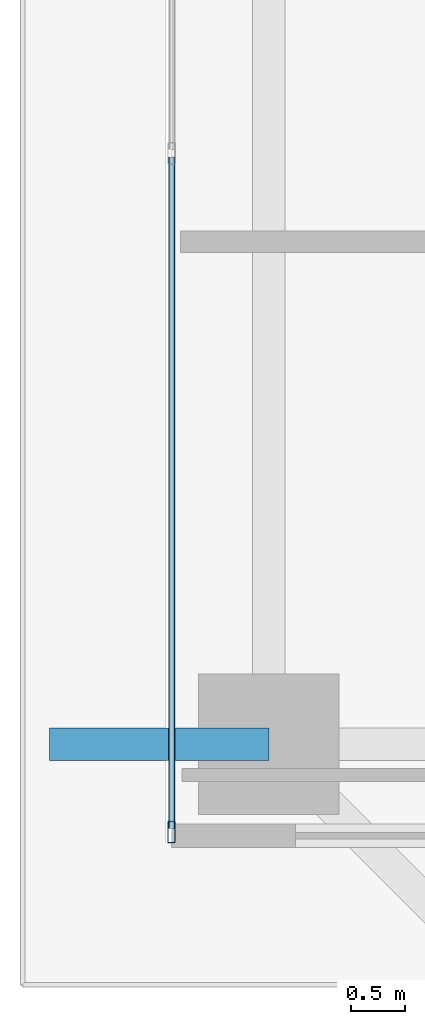
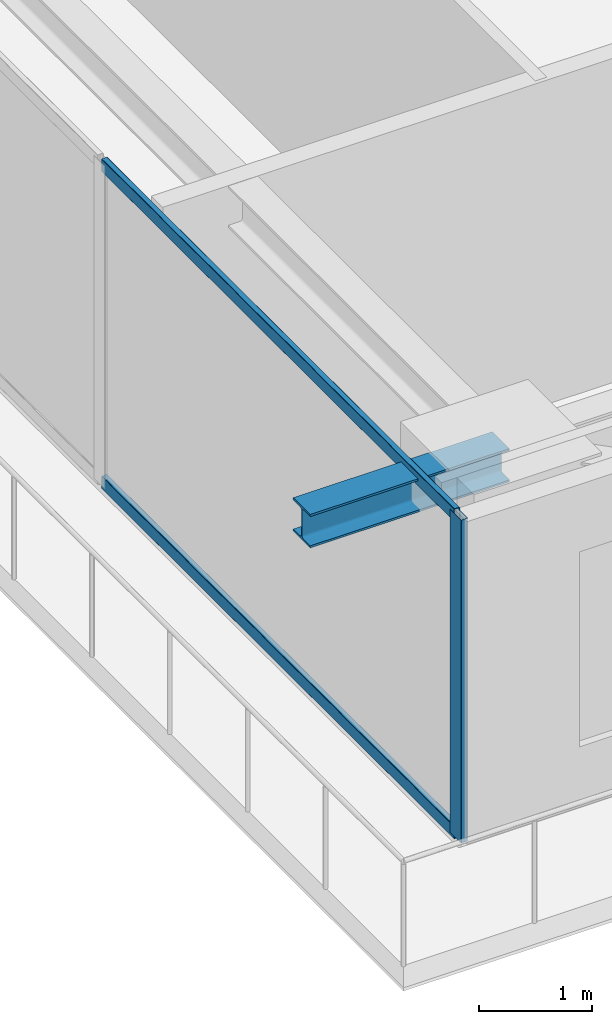
# One storey, part 3 of 37: 3 members, 1 beam, 1 element without a shape of its own.
"""IFC4 building model written with IfcOpenShell, lengths in metres."""

from ifc_helpers import new_model, si_unit, direction, frame, origin, origin_2d, place, context, subcontext, project, spatial, hollow_rectangle, i_section, extrude, source, transform, mapped, material, layer, layer_set, material_profile, profile_set, type_object, element, aggregate, save


model = new_model("IFC4")

# Units and contexts
model_context = context("Model", 3, precision=1e-05, world=origin(), true_north=direction((0.0, 1.0)))
body_context = subcontext(model_context, "Body", "Model", "MODEL_VIEW")
ifc_project = project(units=[si_unit("LENGTHUNIT", "METRE"), si_unit("AREAUNIT", "SQUARE_METRE"), si_unit("VOLUMEUNIT", "CUBIC_METRE"), si_unit("PLANEANGLEUNIT", "RADIAN"), si_unit("MASSUNIT", "GRAM", prefix="KILO")], contexts=[model_context])

# Site, building, storey
site_placement = place(None, origin())
site = spatial("IfcSite", under=ifc_project, at=site_placement, CompositionType="ELEMENT")
building_placement = place(site_placement, origin())
building = spatial("IfcBuilding", under=site, at=building_placement, Name="Serunith Strait Residences", CompositionType="ELEMENT")
storey_placement = place(building_placement, frame((0.0, 0.0, 161.39990234375)))
storey = spatial("IfcBuildingStorey", under=building, at=storey_placement, Name="L40", CompositionType="ELEMENT", Elevation=161.39990234375)

# Beam
ifc_material_1 = material(Name="Steel S355J2", Category="steel")
ifc_material_profile_1 = material_profile(ifc_material_1, i_section(OverallWidth=0.300048828125, OverallDepth=0.360107421875, WebThickness=0.012451171875, FlangeThickness=0.0224609375, FilletRadius=0.027099609375, at=origin_2d()), Name="HEB 360")
ifc_profile_set_1 = profile_set([ifc_material_profile_1], Name="Steel S355J2")
beam_type = type_object("IfcBeamType", Name="BM-HEB360", PredefinedType="BEAM", material=ifc_profile_set_1)
shared_shape_1 = source(origin(), body_context, "Body", "SweptSolid", [
    extrude(i_section(OverallWidth=0.300048828125, OverallDepth=0.360107421875, WebThickness=0.012451171875, FlangeThickness=0.0224609375, FilletRadius=0.027099609375, at=origin_2d()), origin(), (0.0, 0.0, 1.0), 2.030029296875),
])
beam_placement = place(storey_placement, frame((8.699951171875, 10.25, 3.277099609375), z_axis=(-1.0, 0.0, 0.0), x_axis=(0.0, -1.0, 0.0)))
element("IfcBeam", 1, at=beam_placement, inside=storey, type_object=beam_type, Name="L41 Cantilevered Balcony Rib TC-W1", PredefinedType="BEAM", context=body_context, shape_type="MappedRepresentation", body=[
    mapped(shared_shape_1, transform((0.0, 0.0, 0.0), scale=1.0)),
])

# Curtain wall, members
ifc_material_2 = material(Name="Pale-Champagne Anodised Aluminium", Category="aluminium")
ifc_layer = layer(ifc_material_2, 0.199951171875, Name="Pale-Champagne Anodised Aluminium")
ifc_layer_set = layer_set([ifc_layer], Name="Pale-Champagne Anodised Aluminium")
curtain_wall_type = type_object("IfcCurtainWallType", Name="CW-SYS2", PredefinedType="NOTDEFINED", material=ifc_layer_set)
curtain_wall_placement = place(storey_placement, origin())
curtain_wall = element("IfcCurtainWall", 2, at=curtain_wall_placement, inside=storey, type_object=curtain_wall_type, Name="L40 W Unitised Fritted Curtain Wall", PredefinedType="NOTDEFINED")
ifc_material_profile_2 = material_profile(ifc_material_2, hollow_rectangle(XDim=0.070068359375, YDim=0.199951171875, WallThickness=0.00390625, InnerFilletRadius=0.006103515625, OuterFilletRadius=0.010009765625, at=origin_2d()), Name="ALU 200x70x4")
ifc_profile_set_2 = profile_set([ifc_material_profile_2], Name="Pale-Champagne Anodised Aluminium")
member_type_1 = type_object("IfcMemberType", Name="CW-SYS2-MULL", PredefinedType="MULLION", material=ifc_profile_set_2)
shared_shape_2 = source(origin(), body_context, "Body", "SweptSolid", [
    extrude(hollow_rectangle(XDim=0.070068359375, YDim=0.199951171875, WallThickness=0.00390625, InnerFilletRadius=0.006103515625, OuterFilletRadius=0.010009765625, at=origin_2d()), origin(), (0.0, 0.0, 1.0), 3.47509765625),
])
member_1_placement = place(storey_placement, frame((7.800048828125, 9.43505859375, 0.0), z_axis=(0.0, 0.0, 1.0), x_axis=(1.0, 0.0, 0.0)))
member_1 = element("IfcMember", 3, at=member_1_placement, type_object=member_type_1, Name="CW-2 mullion 6", PredefinedType="MULLION", context=body_context, shape_type="MappedRepresentation", body=[
    mapped(shared_shape_2, transform((0.0, 0.0, 0.0), scale=1.0)),
])
ifc_material_profile_3 = material_profile(ifc_material_2, hollow_rectangle(XDim=0.06005859375, YDim=0.139892578125, WallThickness=0.00341796875, InnerFilletRadius=0.00537109375, OuterFilletRadius=0.0087890625, at=origin_2d()), Name="ALU 140x60x3.5")
ifc_profile_set_3 = profile_set([ifc_material_profile_3], Name="Pale-Champagne Anodised Aluminium")
member_type_2 = type_object("IfcMemberType", Name="CW-SYS2-TRAN", PredefinedType="USERDEFINED", material=ifc_profile_set_3)
shared_shape_3 = source(origin(), body_context, "Body", "SweptSolid", [
    extrude(hollow_rectangle(XDim=0.06005859375, YDim=0.139892578125, WallThickness=0.00341796875, InnerFilletRadius=0.00537109375, OuterFilletRadius=0.0087890625, at=origin_2d()), origin(), (0.0, 0.0, 1.0), 6.215087890625),
])
member_2_placement = place(storey_placement, frame((7.800048828125, 15.68505859375, 0.030029296875), z_axis=(0.0, -1.0, 0.0), x_axis=(1.0, 0.0, 0.0)))
member_2 = element("IfcMember", 4, at=member_2_placement, type_object=member_type_2, Name="CW-2 transom 5.1", ObjectType="TRANSOM", PredefinedType="USERDEFINED", context=body_context, shape_type="MappedRepresentation", body=[
    mapped(shared_shape_3, transform((0.0, 0.0, 0.0), scale=1.0)),
])
member_3_placement = place(storey_placement, frame((7.800048828125, 15.68505859375, 3.445068359375), z_axis=(0.0, -1.0, 0.0), x_axis=(1.0, 0.0, 0.0)))
member_3 = element("IfcMember", 5, at=member_3_placement, type_object=member_type_2, Name="CW-2 transom 5.2", ObjectType="TRANSOM", PredefinedType="USERDEFINED", context=body_context, shape_type="MappedRepresentation", body=[
    mapped(shared_shape_3, transform((0.0, 0.0, 0.0), scale=1.0)),
])
aggregate(curtain_wall, [member_1, member_2, member_3])

save(model, "model.ifc")
